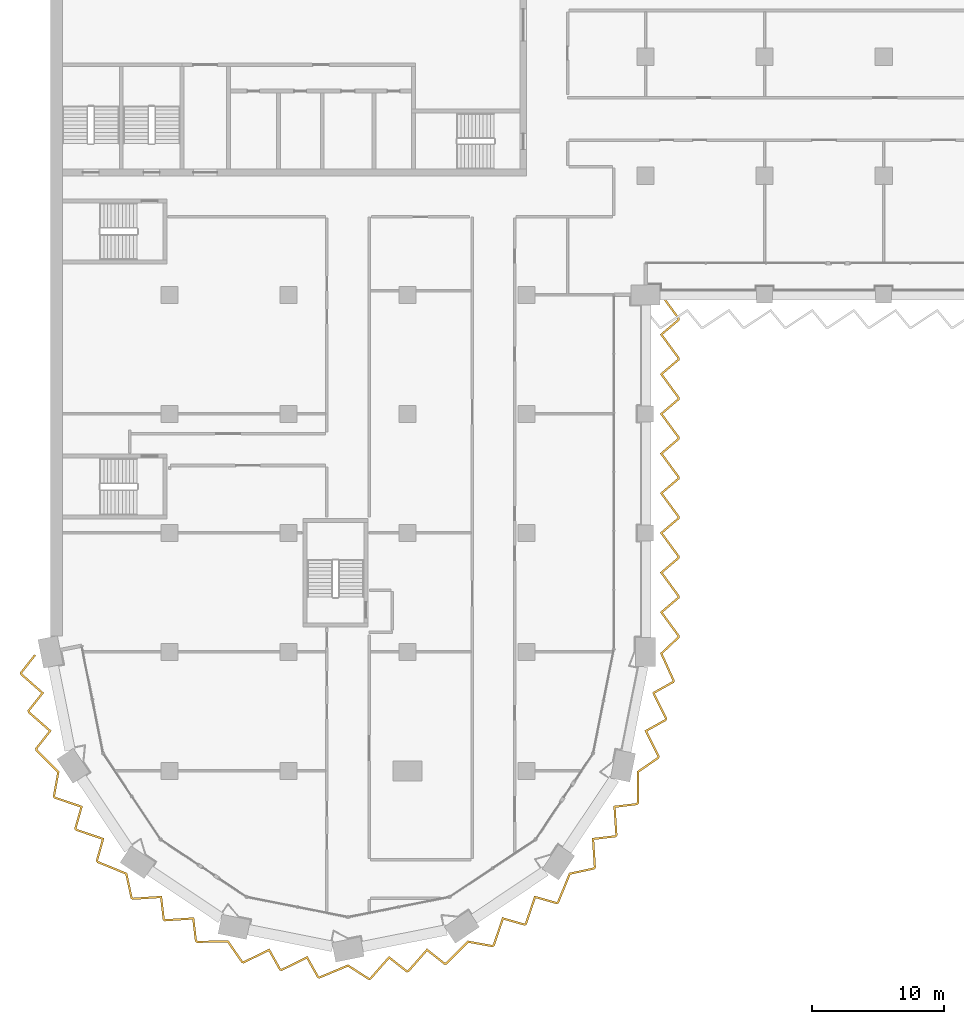
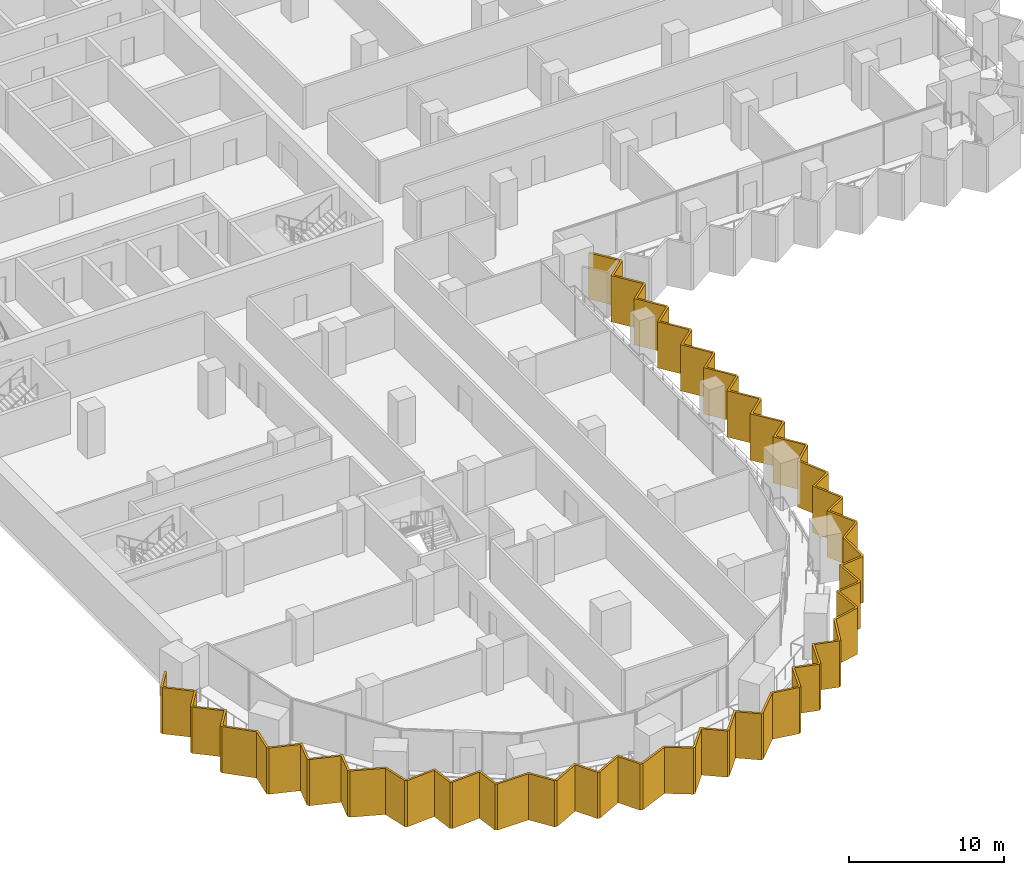
# One storey, part 19 of 23: 1 shading device.
"""IFC4 building model written with IfcOpenShell, lengths in metres."""

from ifc_helpers import new_model, si_unit, direction, frame, origin, place, context, subcontext, project, spatial, polyline, outline, extrude, material, layer, layer_set, type_object, element, save


model = new_model("IFC4")

# Units and contexts
model_context = context("Model", 3, precision=1e-05, world=origin(), true_north=direction((0.0, 1.0)))
body_context = subcontext(model_context, "Body", "Model", "MODEL_VIEW")
ifc_project = project(units=[si_unit("LENGTHUNIT", "METRE"), si_unit("AREAUNIT", "SQUARE_METRE"), si_unit("VOLUMEUNIT", "CUBIC_METRE"), si_unit("PLANEANGLEUNIT", "RADIAN"), si_unit("MASSUNIT", "GRAM", prefix="KILO")], contexts=[model_context])

# Site, building, storey
site_placement = place(None, origin())
site = spatial("IfcSite", under=ifc_project, at=site_placement, CompositionType="ELEMENT")
building_placement = place(site_placement, origin())
building = spatial("IfcBuilding", under=site, at=building_placement, Name="Hunhe Ridgeline Campus", CompositionType="ELEMENT")
storey_placement = place(building_placement, frame((0.0, 0.0, 103.300048828125)))
storey = spatial("IfcBuildingStorey", under=building, at=storey_placement, Name="L25", CompositionType="ELEMENT", Elevation=103.300048828125)

# Shading device
ifc_material = material(Name="Concrete C50", Category="concrete")
ifc_layer = layer(ifc_material, 0.14990234375)
ifc_layer_set = layer_set([ifc_layer], Name="Sawtooth concrete fin 150 Concrete C50")
shading_device_type = type_object("IfcShadingDeviceType", Name="Sawtooth concrete fin 150 Concrete C50", PredefinedType="USERDEFINED", material=ifc_layer_set)
shading_device_placement = place(storey_placement, frame((0.0, 0.0, -0.949951171875)))
element("IfcShadingDevice", 1, at=shading_device_placement, inside=storey, type_object=shading_device_type, Name="Concrete fin screen 1", ObjectType="FIN", PredefinedType="USERDEFINED", context=body_context, shape_type="SweptSolid", body=[
    extrude(outline(polyline([(-1.107177734375, 26.7216796875), (-1.224853515625, 26.814453125), (-2.304931640625, 25.44580078125), (-2.269775390625, 25.269287109375), (-0.697998046875, 23.888427734375), (-1.734130859375, 22.57568359375), (-1.698974609375, 22.399169921875), (-0.127197265625, 21.018310546875), (-1.1630859375, 19.70556640625), (-1.12841796875, 19.531494140625), (0.511962890625, 17.900390625), (0.180419921875, 16.068115234375), (0.278076171875, 15.921875), (2.258544921875, 15.247802734375), (1.8037109375, 13.638427734375), (1.90380859375, 13.48876953125), (3.88427734375, 12.814697265625), (3.4296875, 11.205322265625), (3.5283203125, 11.0576171875), (5.66796875, 10.178466796875), (6.062744140625, 8.35888671875), (6.208984375, 8.26123046875), (8.296630859375, 8.396240234375), (8.492431640625, 6.7353515625), (8.64208984375, 6.635498046875), (10.729736328125, 6.7705078125), (10.925537109375, 5.109619140625), (11.0732421875, 5.010986328125), (13.386474609375, 5.017822265625), (14.44775390625, 3.487548828125), (14.6201171875, 3.453369140625), (16.4970703125, 4.377197265625), (17.313720703125, 2.91748046875), (17.490234375, 2.88232421875), (19.3671875, 3.80615234375), (20.183837890625, 2.3466796875), (20.35791015625, 2.31201171875), (22.492431640625, 3.203369140625), (24.058349609375, 2.19580078125), (24.230712890625, 2.230224609375), (25.611572265625, 3.802001953125), (26.92431640625, 2.765869140625), (27.100830078125, 2.801025390625), (28.481689453125, 4.372802734375), (29.79443359375, 3.3369140625), (29.968505859375, 3.37158203125), (31.599609375, 5.011962890625), (33.431884765625, 4.680419921875), (33.578125, 4.778076171875), (34.252197265625, 6.758544921875), (35.861572265625, 6.3037109375), (36.01123046875, 6.40380859375), (36.685302734375, 8.38427734375), (38.294677734375, 7.9296875), (38.4423828125, 8.0283203125), (39.321533203125, 10.16796875), (41.14111328125, 10.562744140625), (41.23876953125, 10.708984375), (41.103759765625, 12.796630859375), (42.7646484375, 12.992431640625), (42.864501953125, 13.14208984375), (42.7294921875, 15.229736328125), (44.390380859375, 15.425537109375), (44.489013671875, 15.5732421875), (44.482177734375, 17.886474609375), (46.012451171875, 18.94775390625), (46.046630859375, 19.1201171875), (45.122802734375, 20.9970703125), (46.58251953125, 21.813720703125), (46.61767578125, 21.990234375), (45.69384765625, 23.8671875), (47.1533203125, 24.683837890625), (47.188232421875, 24.859130859375), (46.279296875, 26.864990234375), (47.56396484375, 28.076904296875), (47.56396484375, 28.25390625), (46.29052734375, 29.98828125), (47.56396484375, 31.07470703125), (47.56396484375, 31.25390625), (46.29052734375, 32.98828125), (47.56396484375, 34.07470703125), (47.56396484375, 34.25390625), (46.29052734375, 35.98828125), (47.56396484375, 37.07470703125), (47.56396484375, 37.25390625), (46.29052734375, 38.98828125), (47.56396484375, 40.07470703125), (47.56396484375, 40.25390625), (46.29052734375, 41.98828125), (47.56396484375, 43.07470703125), (47.56396484375, 43.25390625), (46.29052734375, 44.98828125), (47.56396484375, 46.07470703125), (47.56396484375, 46.25390625), (46.29052734375, 47.98828125), (47.56396484375, 49.07470703125), (47.56396484375, 49.25390625), (46.29052734375, 50.98828125), (47.56396484375, 52.07470703125), (47.56396484375, 52.25390625), (46.249267578125, 54.04443359375), (46.12841796875, 53.95556640625), (47.413818359375, 52.204833984375), (47.413818359375, 52.143798828125), (46.087158203125, 51.01171875), (47.413818359375, 49.204833984375), (47.413818359375, 49.143798828125), (46.087158203125, 48.01171875), (47.413818359375, 46.204833984375), (47.413818359375, 46.143798828125), (46.087158203125, 45.01171875), (47.413818359375, 43.204833984375), (47.413818359375, 43.143798828125), (46.087158203125, 42.01171875), (47.413818359375, 40.204833984375), (47.413818359375, 40.143798828125), (46.087158203125, 39.01171875), (47.413818359375, 37.204833984375), (47.413818359375, 37.143798828125), (46.087158203125, 36.01171875), (47.413818359375, 34.204833984375), (47.413818359375, 34.143798828125), (46.087158203125, 33.01171875), (47.413818359375, 31.204833984375), (47.413818359375, 31.143798828125), (46.087158203125, 30.01171875), (47.413818359375, 28.204833984375), (47.413818359375, 28.1416015625), (46.098388671875, 26.900634765625), (47.03173828125, 24.841064453125), (47.019775390625, 24.781005859375), (45.496337890625, 23.9287109375), (46.46044921875, 21.969482421875), (46.44873046875, 21.910888671875), (44.925537109375, 21.05859375), (45.8896484375, 19.099365234375), (45.877197265625, 19.036376953125), (44.33203125, 17.96484375), (44.3388671875, 15.618408203125), (44.303955078125, 15.56640625), (42.570556640625, 15.362060546875), (42.711669921875, 13.18310546875), (42.67822265625, 13.13330078125), (40.94482421875, 12.928955078125), (41.085693359375, 10.75), (41.050048828125, 10.696533203125), (39.212646484375, 10.2978515625), (38.321044921875, 8.12744140625), (38.26904296875, 8.0927734375), (36.589111328125, 8.5673828125), (35.8857421875, 6.500244140625), (35.835693359375, 6.467041015625), (34.156005859375, 6.94140625), (33.452392578125, 4.87451171875), (33.39892578125, 4.8388671875), (31.548828125, 5.173583984375), (29.89453125, 3.509765625), (29.8330078125, 3.49755859375), (28.462890625, 4.578857421875), (27.021728515625, 2.938232421875), (26.962890625, 2.926513671875), (25.5927734375, 4.0078125), (24.151611328125, 2.367431640625), (24.088623046875, 2.354736328125), (22.507568359375, 3.372314453125), (20.34228515625, 2.468017578125), (20.281005859375, 2.480224609375), (19.4287109375, 4.003662109375), (17.469482421875, 3.03955078125), (17.410888671875, 3.05126953125), (16.55859375, 4.574462890625), (14.599365234375, 3.6103515625), (14.536376953125, 3.622802734375), (13.46484375, 5.16796875), (11.118408203125, 5.1611328125), (11.06640625, 5.196044921875), (10.862060546875, 6.929443359375), (8.68310546875, 6.788330078125), (8.63330078125, 6.82177734375), (8.428955078125, 8.55517578125), (6.25, 8.414306640625), (6.196533203125, 8.449951171875), (5.7978515625, 10.287353515625), (3.62744140625, 11.178955078125), (3.5927734375, 11.23095703125), (4.0673828125, 12.910888671875), (2.000244140625, 13.6142578125), (1.967041015625, 13.664306640625), (2.44140625, 15.343994140625), (0.37451171875, 16.047607421875), (0.3388671875, 16.10107421875), (0.673583984375, 17.951171875), (-0.990234375, 19.60546875), (-1.00244140625, 19.6669921875), (0.078857421875, 21.037109375), (-1.561767578125, 22.478271484375), (-1.573486328125, 22.537109375), (-0.4921875, 23.9072265625), (-2.132568359375, 25.348388671875), (-2.144287109375, 25.4072265625), (-1.107177734375, 26.7216796875)])), origin(), (0.0, 0.0, 1.0), 3.64990234375),
])

save(model, "model.ifc")
